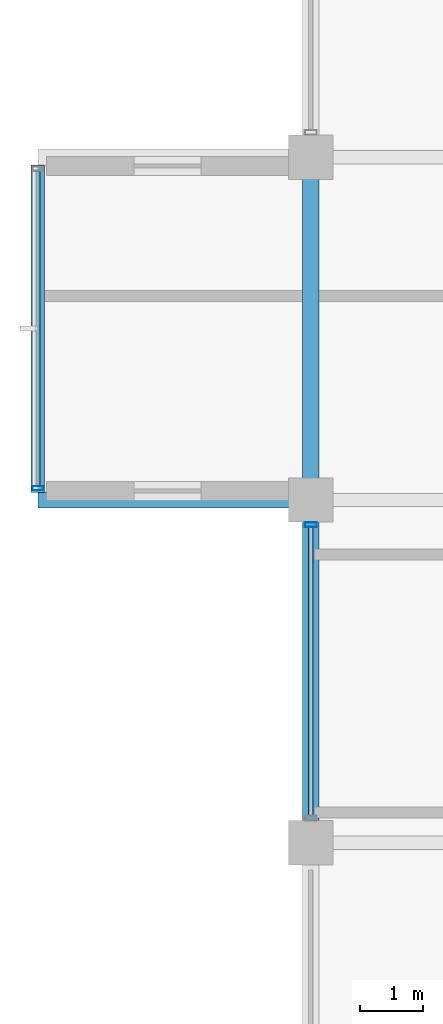
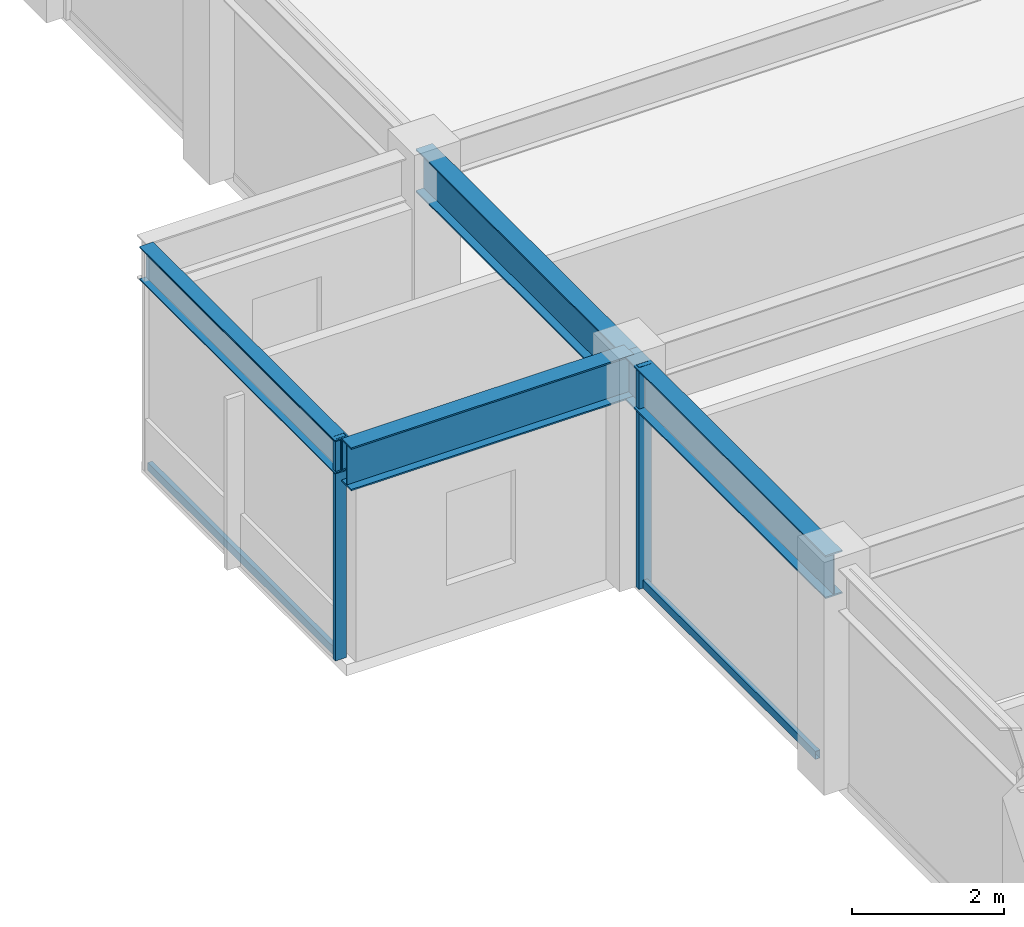
# One storey, part 7 of 31: 5 members, 4 beams, 2 elements without a shape of their own.
"""IFC4 building model written with IfcOpenShell, lengths in metres."""

from ifc_helpers import new_model, si_unit, direction, frame, origin, origin_2d, place, context, subcontext, project, spatial, hollow_rectangle, i_section, extrude, material, layer, layer_set, material_profile, profile_set, type_object, element, aggregate, save


model = new_model("IFC4")

# Units and contexts
model_context = context("Model", 3, precision=1e-05, world=origin(), true_north=direction((0.0, 1.0)))
body_context = subcontext(model_context, "Body", "Model", "MODEL_VIEW")
ifc_project = project(units=[si_unit("LENGTHUNIT", "METRE"), si_unit("AREAUNIT", "SQUARE_METRE"), si_unit("VOLUMEUNIT", "CUBIC_METRE"), si_unit("PLANEANGLEUNIT", "RADIAN"), si_unit("MASSUNIT", "GRAM", prefix="KILO")], contexts=[model_context])

# Site, building, storey
site_placement = place(None, origin())
site = spatial("IfcSite", under=ifc_project, at=site_placement, CompositionType="ELEMENT")
building_placement = place(site_placement, origin())
building = spatial("IfcBuilding", under=site, at=building_placement, Name="Surkhivell Harbour Commons", CompositionType="ELEMENT")
storey_placement = place(building_placement, frame((0.0, 0.0, 266.25)))
storey = spatial("IfcBuildingStorey", under=building, at=storey_placement, Name="L69", CompositionType="ELEMENT", Elevation=266.25)

# Beams
ifc_material_1 = material(Name="Steel S460", Category="steel")
ifc_material_profile_1 = material_profile(ifc_material_1, i_section(OverallWidth=0.256103515625, OverallDepth=0.693115234375, WebThickness=0.014404296875, FlangeThickness=0.023681640625, at=origin_2d()), Name="UB686x254x170")
ifc_profile_set_1 = profile_set([ifc_material_profile_1], Name="Steel S460")
beam_type_1 = type_object("IfcBeamType", Name="BM-CNT-686", PredefinedType="BEAM", material=ifc_profile_set_1)
beam_1_placement = place(storey_placement, frame((-27.0, 5.39990234375, 3.223388671875), z_axis=(-1.0, 0.0, 0.0), x_axis=(0.0, -1.0, 0.0)))
element("IfcBeam", 1, at=beam_1_placement, inside=storey, type_object=beam_type_1, Name="L69 Box Cantilever Outrigger (-27.0,5.4)", PredefinedType="BEAM", context=body_context, shape_type="SweptSolid", body=[
    extrude(i_section(OverallWidth=0.256103515625, OverallDepth=0.693115234375, WebThickness=0.014404296875, FlangeThickness=0.023681640625, at=origin_2d()), origin(), (0.0, 0.0, 1.0), 4.300048828125),
])
ifc_material_2 = material(Name="Steel S355", Category="steel")
ifc_material_profile_2 = material_profile(ifc_material_2, i_section(OverallWidth=0.2099609375, OverallDepth=0.537109375, WebThickness=0.0107421875, FlangeThickness=0.017333984375, at=origin_2d()), Name="UB533x210x101")
ifc_profile_set_2 = profile_set([ifc_material_profile_2], Name="Steel S355")
beam_type_2 = type_object("IfcBeamType", Name="BM-GRD-533B", PredefinedType="BEAM", material=ifc_profile_set_2)
beam_2_placement = place(storey_placement, frame((-31.300048828125, 5.52197265625, 3.301513671875), z_axis=(0.0, 1.0, 0.0), x_axis=(-1.0, 0.0, 0.0)))
element("IfcBeam", 2, at=beam_2_placement, inside=storey, type_object=beam_type_2, Name="L69 Box Rim Spandrel (-31.3,5.4)", PredefinedType="BEAM", context=body_context, shape_type="SweptSolid", body=[
    extrude(i_section(OverallWidth=0.2099609375, OverallDepth=0.537109375, WebThickness=0.0107421875, FlangeThickness=0.017333984375, at=origin_2d()), origin(), (0.0, 0.0, 1.0), 5.156005859375),
])
ifc_material_profile_3 = material_profile(ifc_material_2, i_section(OverallWidth=0.256103515625, OverallDepth=0.693115234375, WebThickness=0.014404296875, FlangeThickness=0.023681640625, at=origin_2d()), Name="UB686x254x170")
ifc_profile_set_3 = profile_set([ifc_material_profile_3], Name="Steel S355")
beam_type_3 = type_object("IfcBeamType", Name="BM-SPN-686", PredefinedType="SPANDREL", material=ifc_profile_set_3)
beam_3_placement = place(storey_placement, frame((-27.0, 0.0, 3.223388671875), z_axis=(0.0, 1.0, 0.0), x_axis=(-1.0, 0.0, 0.0)))
element("IfcBeam", 3, at=beam_3_placement, inside=storey, type_object=beam_type_3, Name="L69 Tube Spandrel (-27.0,0.0)", PredefinedType="SPANDREL", context=body_context, shape_type="SweptSolid", body=[
    extrude(i_section(OverallWidth=0.256103515625, OverallDepth=0.693115234375, WebThickness=0.014404296875, FlangeThickness=0.023681640625, at=origin_2d()), origin(), (0.0, 0.0, 1.0), 5.39990234375),
])
beam_4_placement = place(storey_placement, frame((-27.0, 5.39990234375, 3.223388671875), z_axis=(0.0, 1.0, 0.0), x_axis=(-1.0, 0.0, 0.0)))
element("IfcBeam", 4, at=beam_4_placement, inside=storey, type_object=beam_type_3, Name="L69 Tube Spandrel (-27.0,5.4)", PredefinedType="SPANDREL", context=body_context, shape_type="SweptSolid", body=[
    extrude(i_section(OverallWidth=0.256103515625, OverallDepth=0.693115234375, WebThickness=0.014404296875, FlangeThickness=0.023681640625, at=origin_2d()), origin(), (0.0, 0.0, 1.0), 5.400146484375),
])

# Curtain wall, member
ifc_material_3 = material(Name="Anodised pale-metal aluminium and insulated glazing", Category="aluminium")
ifc_layer_1 = layer(ifc_material_3, 0.1650390625)
ifc_layer_set_1 = layer_set([ifc_layer_1], Name="Anodised pale-metal aluminium and insulated glazing")
curtain_wall_type_1 = type_object("IfcCurtainWallType", Name="CW-SYS-BOX", PredefinedType="NOTDEFINED", material=ifc_layer_set_1)
curtain_wall_1_placement = place(storey_placement, origin())
curtain_wall_1 = element("IfcCurtainWall", 5, at=curtain_wall_1_placement, inside=storey, type_object=curtain_wall_type_1, Name="L69 Curtain Wall CW-L69-BOX02", PredefinedType="NOTDEFINED")
ifc_material_4 = material(Name="Champagne anodised aluminium alloy 6063-T6", Category="aluminium")
ifc_material_profile_4 = material_profile(ifc_material_4, hollow_rectangle(XDim=0.070068359375, YDim=0.1650390625, WallThickness=0.00341796875, at=origin_2d()), Name="ALU-MULL-70x165")
ifc_profile_set_4 = profile_set([ifc_material_profile_4], Name="Champagne anodised aluminium alloy 6063-T6")
member_type_1 = type_object("IfcMemberType", Name="CWM-165", PredefinedType="MULLION", material=ifc_profile_set_4)
member_1_placement = place(storey_placement, frame((-31.300048828125, 5.5849609375, 0.0), z_axis=(0.0, 0.0, 1.0), x_axis=(0.0, 1.0, 0.0)))
member_1 = element("IfcMember", 6, at=member_1_placement, type_object=member_type_1, Name="CW-BOX mullion 1", PredefinedType="MULLION", context=body_context, shape_type="SweptSolid", body=[
    extrude(hollow_rectangle(XDim=0.070068359375, YDim=0.1650390625, WallThickness=0.00341796875, at=origin_2d()), origin(), (0.0, 0.0, 1.0), 3.570068359375),
])

ifc_layer_2 = layer(ifc_material_3, 0.175048828125)
ifc_layer_set_2 = layer_set([ifc_layer_2], Name="Anodised pale-metal aluminium and insulated glazing")
curtain_wall_type_2 = type_object("IfcCurtainWallType", Name="CW-SYS-Z4", PredefinedType="NOTDEFINED", material=ifc_layer_set_2)
curtain_wall_2_placement = place(storey_placement, origin())
curtain_wall_2 = element("IfcCurtainWall", 7, at=curtain_wall_2_placement, inside=storey, type_object=curtain_wall_type_2, Name="L69 Curtain Wall CW-L69-E12R1S1", PredefinedType="NOTDEFINED")
ifc_material_5 = material(Name="Anodised pale-metal aluminium alloy 6063-T6", Category="aluminium")
ifc_material_profile_5 = material_profile(ifc_material_5, hollow_rectangle(XDim=0.074951171875, YDim=0.18994140625, WallThickness=0.00390625, at=origin_2d()), Name="ALU-MULL-75x190")
ifc_profile_set_5 = profile_set([ifc_material_profile_5], Name="Anodised pale-metal aluminium alloy 6063-T6")
member_type_2 = type_object("IfcMemberType", Name="CWM-190", PredefinedType="MULLION", material=ifc_profile_set_5)
member_2_placement = place(storey_placement, frame((-27.0, 5.010498046875, 0.0), z_axis=(0.0, 0.0, 1.0), x_axis=(0.0, 1.0, 0.0)))
member_2 = element("IfcMember", 8, at=member_2_placement, type_object=member_type_2, Name="CW-Z4 mullion 4", PredefinedType="MULLION", context=body_context, shape_type="SweptSolid", body=[
    extrude(hollow_rectangle(XDim=0.074951171875, YDim=0.18994140625, WallThickness=0.00390625, at=origin_2d()), origin(), (0.0, 0.0, 1.0), 3.570068359375),
])

# Member
ifc_material_profile_6 = material_profile(ifc_material_4, hollow_rectangle(XDim=0.070068359375, YDim=0.1298828125, WallThickness=0.00341796875, at=origin_2d()), Name="ALU-TRAN-70x130")
ifc_profile_set_6 = profile_set([ifc_material_profile_6], Name="Champagne anodised aluminium alloy 6063-T6")
member_type_3 = type_object("IfcMemberType", Name="CWT-130", PredefinedType="USERDEFINED", material=ifc_profile_set_6)
member_3_placement = place(storey_placement, frame((-31.300048828125, 5.6201171875, 0.06494140625), z_axis=(0.0, 1.0, 0.0), x_axis=(-1.0, 0.0, 0.0)))
member_3 = element("IfcMember", 9, at=member_3_placement, type_object=member_type_3, Name="CW-BOX transom 1.1", ObjectType="TRANSOM", PredefinedType="USERDEFINED", context=body_context, shape_type="SweptSolid", body=[
    extrude(hollow_rectangle(XDim=0.070068359375, YDim=0.1298828125, WallThickness=0.00341796875, at=origin_2d()), origin(), (0.0, 0.0, 1.0), 4.9599609375),
])

member_4_placement = place(storey_placement, frame((-31.300048828125, 5.6201171875, 3.5048828125), z_axis=(0.0, 1.0, 0.0), x_axis=(-1.0, 0.0, 0.0)))
member_4 = element("IfcMember", 10, at=member_4_placement, type_object=member_type_3, Name="CW-BOX transom 1.2", ObjectType="TRANSOM", PredefinedType="USERDEFINED", context=body_context, shape_type="SweptSolid", body=[
    extrude(hollow_rectangle(XDim=0.070068359375, YDim=0.1298828125, WallThickness=0.00341796875, at=origin_2d()), origin(), (0.0, 0.0, 1.0), 4.9599609375),
])

aggregate(curtain_wall_1, [member_1, member_3, member_4])

member_5_placement = place(storey_placement, frame((-27.0, 0.427001953125, 0.06494140625), z_axis=(0.0, 1.0, 0.0), x_axis=(-1.0, 0.0, 0.0)))
member_5 = element("IfcMember", 11, at=member_5_placement, type_object=member_type_3, Name="CW-Z4 transom 3.1", ObjectType="TRANSOM", PredefinedType="USERDEFINED", context=body_context, shape_type="SweptSolid", body=[
    extrude(hollow_rectangle(XDim=0.070068359375, YDim=0.1298828125, WallThickness=0.00341796875, at=origin_2d()), origin(), (0.0, 0.0, 1.0), 4.5458984375),
])

aggregate(curtain_wall_2, [member_2, member_5])

save(model, "model.ifc")
